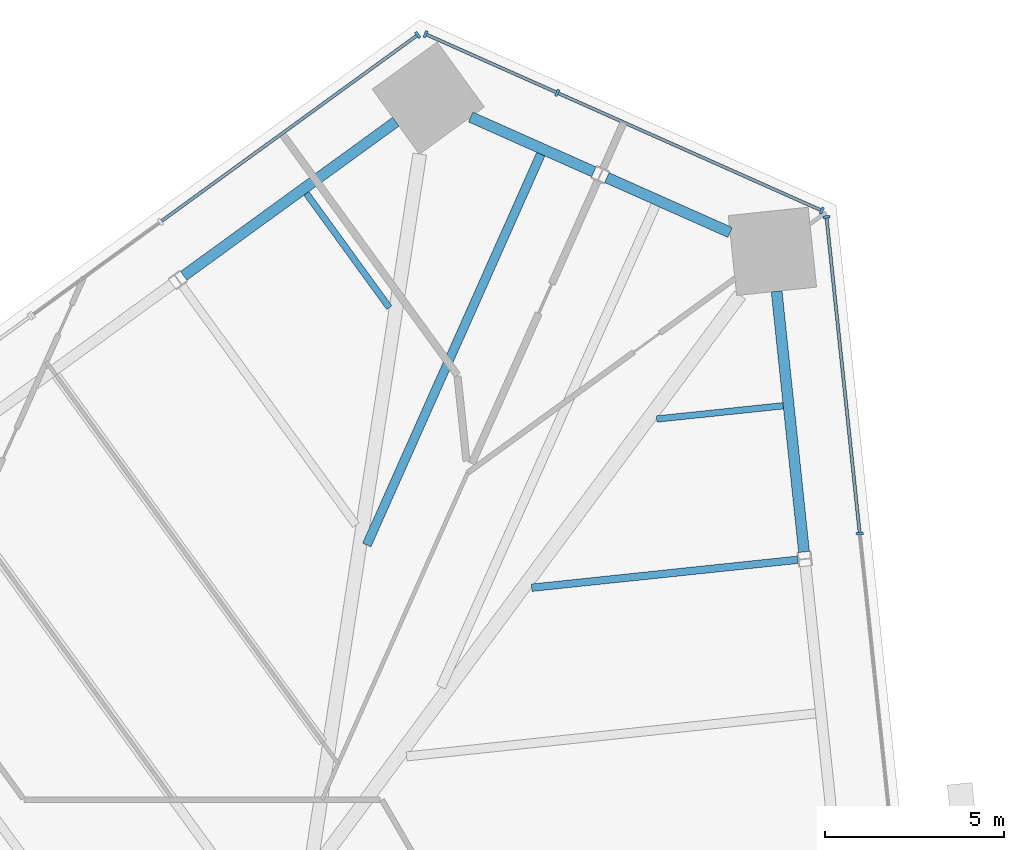
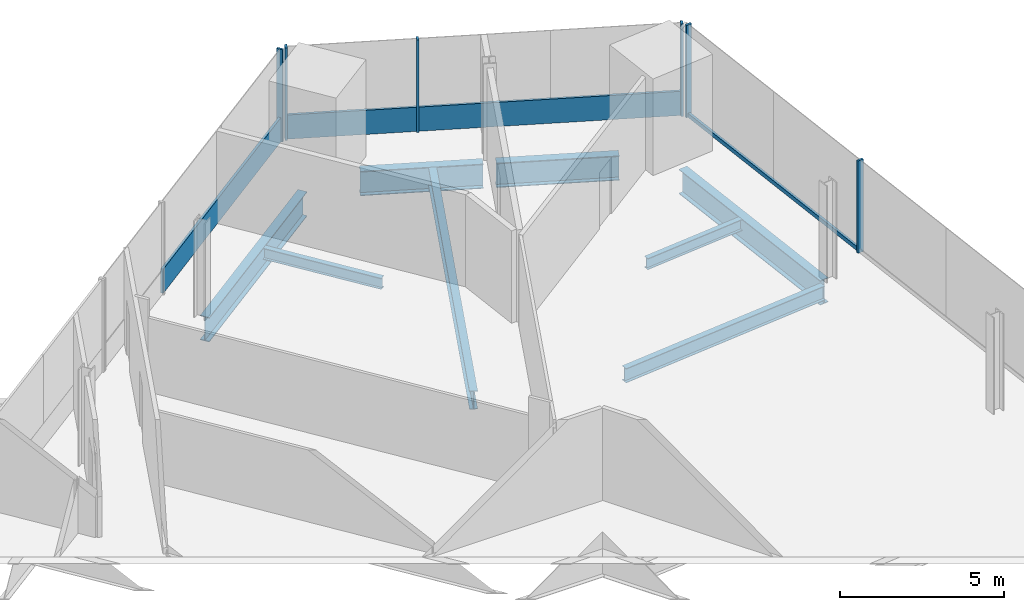
# One storey, part 9 of 19: 10 members, 8 beams, 3 elements without a shape of their own.
"""IFC4 building model written with IfcOpenShell, lengths in metres."""

import ifcopenshell
import ifcopenshell.guid

model = None  # the IFC model being written
_history = None  # IfcOwnerHistory: only IFC2X3 demands one
_inside = {}  # id of a spatial element -> (the spatial element, [elements in it])
_under = {}  # id of a project, library or spatial element -> (it, [spatial elements below it])
_declared = {}  # id of a project -> (the project, [libraries it declares])
_typed = {}  # id of a type object -> (the type object, [elements of that type])
_made_of = {}  # id of a material, layer set ... -> (it, [elements and type objects made of it])


def new_model(schema):
    """Start an empty IFC model of exactly this schema.

    Asked for "IFC4X3", IfcOpenShell would pick the latest addendum, in which some entities
    have other attributes; the version numbers below select the first issue.
    IFC2X3 requires an IfcOwnerHistory on every rooted entity: one is made here for all.
    """
    global model, _history
    if schema == "IFC4X3":
        model = ifcopenshell.file(schema_version=(4, 3, 0, 0))
    else:
        model = ifcopenshell.file(schema=schema)
    _inside.clear()
    _under.clear()
    _declared.clear()
    _typed.clear()
    _made_of.clear()
    _history = None
    if model.schema == "IFC2X3":
        org = make("IfcOrganization", Name="unknown")
        user = make(
            "IfcPersonAndOrganization",
            ThePerson=make("IfcPerson", FamilyName="unknown"),
            TheOrganization=org,
        )
        app = make(
            "IfcApplication",
            ApplicationDeveloper=org,
            Version="unknown",
            ApplicationFullName="unknown",
            ApplicationIdentifier="unknown",
        )
        _history = make(
            "IfcOwnerHistory",
            OwningUser=user,
            OwningApplication=app,
            ChangeAction="ADDED",
            CreationDate=0,
        )
    return model


def make(cls, **values):
    """One entity of the class cls with the attributes given. An attribute that is None is left unset."""
    return model.create_entity(
        cls, **{name: value for name, value in values.items() if value is not None}
    )


def rooted(cls, **values):
    """An entity with a GlobalId (a new one), such as an element, a storey or a relation."""
    return make(cls, GlobalId=ifcopenshell.guid.new(), OwnerHistory=_history, **values)


def si_unit(unit_type, name, prefix=None):
    """IfcSIUnit, for example si_unit("LENGTHUNIT", "METRE", prefix="MILLI")."""
    return make("IfcSIUnit", UnitType=unit_type, Prefix=prefix, Name=name)


def assignment(units):
    """IfcUnitAssignment: the units of a project."""
    return None if units is None else make("IfcUnitAssignment", Units=units)


def point(xyz):
    """IfcCartesianPoint."""
    return None if xyz is None else make("IfcCartesianPoint", Coordinates=xyz)


def direction(xyz):
    """IfcDirection."""
    return None if xyz is None else make("IfcDirection", DirectionRatios=xyz)


def frame(location, z_axis=None, x_axis=None):
    """IfcAxis2Placement3D, a coordinate frame: its origin and axes. An axis left out is left unset."""
    return make(
        "IfcAxis2Placement3D",
        Location=point(location),
        Axis=direction(z_axis),
        RefDirection=direction(x_axis),
    )


def frame_2d(location, x_axis=None):
    """IfcAxis2Placement2D, a coordinate frame in the plane: its origin and x axis."""
    return make(
        "IfcAxis2Placement2D", Location=point(location), RefDirection=direction(x_axis)
    )


def origin():
    """The frame at (0, 0, 0) with its axes left unset."""
    return frame((0.0, 0.0, 0.0))


def origin_2d():
    """The frame at (0, 0) in the plane with its x axis left unset."""
    return frame_2d((0.0, 0.0))


def place(relative_to, where):
    """IfcLocalPlacement: puts the frame where relative to a parent placement (None: the world)."""
    return make(
        "IfcLocalPlacement", PlacementRelTo=relative_to, RelativePlacement=where
    )


def context(
    kind, dimensions, precision=None, world=None, true_north=None, identifier=None
):
    """IfcGeometricRepresentationContext, for example the 3D "Model" context."""
    return make(
        "IfcGeometricRepresentationContext",
        ContextIdentifier=identifier,
        ContextType=kind,
        CoordinateSpaceDimension=dimensions,
        Precision=precision,
        WorldCoordinateSystem=world,
        TrueNorth=true_north,
    )


def subcontext(parent, identifier, kind, view, scale=None):
    """IfcGeometricRepresentationSubContext, for example "Body" below "Model"."""
    return make(
        "IfcGeometricRepresentationSubContext",
        ContextIdentifier=identifier,
        ContextType=kind,
        ParentContext=parent,
        TargetScale=scale,
        TargetView=view,
    )


def project(units=None, contexts=None):
    """IfcProject with its units and contexts."""
    return rooted(
        "IfcProject",
        Name="project",
        RepresentationContexts=contexts,
        UnitsInContext=assignment(units),
    )


def spatial(cls, under=None, at=None, **own):
    """A site, building, storey or space (cls), placed at a placement, below another one or the project."""
    s = rooted(cls, ObjectPlacement=at, **own)
    if under is not None:
        _under.setdefault(under.id(), (under, []))[1].append(s)
    return s


def profile(cls, at=None, kind="AREA", **sizes):
    """A parametric profile (cls). Its sizes go by their IFC names, for example OverallWidth=200.0."""
    return make(cls, ProfileType=kind, Position=at, **sizes)


def rectangle(**sizes):
    """IfcRectangleProfileDef."""
    return profile("IfcRectangleProfileDef", **sizes)


def i_section(**sizes):
    """IfcIShapeProfileDef."""
    return profile("IfcIShapeProfileDef", **sizes)


def extrude(swept, where, along, depth):
    """IfcExtrudedAreaSolid: the profile swept, set in the frame where, extruded along a direction by depth."""
    return make(
        "IfcExtrudedAreaSolid",
        SweptArea=swept,
        Position=where,
        ExtrudedDirection=direction(along),
        Depth=depth,
    )


def shape(context_of_items, identifier, shape_type, items):
    """IfcShapeRepresentation: the items that make up one representation, for example the "Body"."""
    return make(
        "IfcShapeRepresentation",
        ContextOfItems=context_of_items,
        RepresentationIdentifier=identifier,
        RepresentationType=shape_type,
        Items=items,
    )


def source(mapping_origin, context_of_items, identifier, shape_type, items):
    """IfcRepresentationMap: a shape defined once, which mapped items show again and again."""
    return make(
        "IfcRepresentationMap",
        MappingOrigin=mapping_origin,
        MappedRepresentation=shape(context_of_items, identifier, shape_type, items),
    )


def transform(
    local_origin,
    x_axis=None,
    y_axis=None,
    z_axis=None,
    scale=None,
    scale2=None,
    scale3=None,
    uniform=True,
):
    """IfcCartesianTransformationOperator3D, or its non-uniform kind. x_axis, y_axis, z_axis: its Axis1, 2, 3."""
    if uniform:
        return make(
            "IfcCartesianTransformationOperator3D",
            Axis1=direction(x_axis),
            Axis2=direction(y_axis),
            LocalOrigin=point(local_origin),
            Scale=scale,
            Axis3=direction(z_axis),
        )
    return make(
        "IfcCartesianTransformationOperator3DnonUniform",
        Axis1=direction(x_axis),
        Axis2=direction(y_axis),
        LocalOrigin=point(local_origin),
        Scale=scale,
        Axis3=direction(z_axis),
        Scale2=scale2,
        Scale3=scale3,
    )


def mapped(mapping_source, mapping_target):
    """IfcMappedItem: shows the shape of a source again, moved by a transform."""
    return make(
        "IfcMappedItem", MappingSource=mapping_source, MappingTarget=mapping_target
    )


def material(Name=None, Category=None):
    """IfcMaterial."""
    return make("IfcMaterial", Name=Name, Category=Category)


def material_profile(
    of_material, cross_section, Name=None, Category=None, Priority=None
):
    """IfcMaterialProfile: a cross section and its material."""
    return make(
        "IfcMaterialProfile",
        Name=Name,
        Material=of_material,
        Profile=cross_section,
        Priority=Priority,
        Category=Category,
    )


def profile_set(profiles, Name=None, composite=None):
    """IfcMaterialProfileSet."""
    return make(
        "IfcMaterialProfileSet",
        Name=Name,
        MaterialProfiles=profiles,
        CompositeProfile=composite,
    )


def made_of(thing, what):
    """Note that an element or type object is made of a material, layer set ...; save() writes the relation."""
    if what is not None:
        _made_of.setdefault(what.id(), (what, []))[1].append(thing)
    return thing


def type_object(cls, material=None, **own):
    """A type object (cls), such as IfcWallType, which elements share."""
    return made_of(rooted(cls, **own), material)


def element(
    cls,
    number,
    at=None,
    inside=None,
    cuts=None,
    type_object=None,
    material=None,
    context=None,
    identifier="Body",
    shape_type=None,
    held_by="IfcProductDefinitionShape",
    body=None,
    shapes=None,
    **own,
):
    """One element of the class cls, such as IfcWall. Its Tag is "e" and its number.

    at: its placement. inside: the storey or other place that contains it. cuts: it is an
    opening in that element (IfcRelVoidsElement). A single representation is given by context,
    identifier, shape_type and body (its items); several are given by shapes. held_by: the class
    of the entity that holds the representations. save() writes the other relations.
    """
    e = rooted(cls, Tag="e%d" % number, ObjectPlacement=at, **own)
    if body is not None:
        shapes = [shape(context, identifier, shape_type, body)]
    if shapes is not None:
        e.Representation = make(held_by, Representations=shapes)
    if inside is not None:
        _inside.setdefault(inside.id(), (inside, []))[1].append(e)
    if cuts is not None:
        rooted(
            "IfcRelVoidsElement", RelatingBuildingElement=cuts, RelatedOpeningElement=e
        )
    if type_object is not None:
        _typed.setdefault(type_object.id(), (type_object, []))[1].append(e)
    return made_of(e, material)


def aggregate(whole, parts):
    """IfcRelAggregates: a whole, such as a stair, and the parts it consists of."""
    return rooted("IfcRelAggregates", RelatingObject=whole, RelatedObjects=parts)


def save(model, path):
    """Write the relations noted so far, then the file.

    IfcRelAggregates (storeys below a building ...), IfcRelContainedInSpatialStructure (elements
    in a storey), IfcRelDefinesByType, IfcRelAssociatesMaterial and IfcRelDeclares: one each for
    every whole, place, type object, material and project.
    """
    for whole, parts in _under.values():
        aggregate(whole, parts)
    for where, things in _inside.values():
        rooted(
            "IfcRelContainedInSpatialStructure",
            RelatedElements=things,
            RelatingStructure=where,
        )
    for kind, things in _typed.values():
        rooted("IfcRelDefinesByType", RelatedObjects=things, RelatingType=kind)
    for what, things in _made_of.values():
        rooted("IfcRelAssociatesMaterial", RelatedObjects=things, RelatingMaterial=what)
    for by, libraries in _declared.values():
        rooted("IfcRelDeclares", RelatingContext=by, RelatedDefinitions=libraries)
    model.write(path)


model = new_model("IFC4")

# Units and contexts
model_context = context("Model", 3, precision=1e-05, world=origin(), true_north=direction((0.0, 1.0)))
body_context = subcontext(model_context, "Body", "Model", "MODEL_VIEW")
ifc_project = project(units=[si_unit("LENGTHUNIT", "METRE"), si_unit("AREAUNIT", "SQUARE_METRE"), si_unit("VOLUMEUNIT", "CUBIC_METRE"), si_unit("PLANEANGLEUNIT", "RADIAN"), si_unit("MASSUNIT", "GRAM", prefix="KILO")], contexts=[model_context])

# Site, building, storey
site_placement = place(None, origin())
site = spatial("IfcSite", under=ifc_project, at=site_placement, CompositionType="ELEMENT")
building_placement = place(site_placement, origin())
building = spatial("IfcBuilding", under=site, at=building_placement, Name="Triune Harvest Tower", CompositionType="ELEMENT")
storey_placement = place(building_placement, frame((0.0, 0.0, 69.300048828125)))
storey = spatial("IfcBuildingStorey", under=building, at=storey_placement, Name="L16", CompositionType="ELEMENT", Elevation=69.300048828125)

# Beams
ifc_material_1 = material(Name="Steel ASTM A992 Gr 50", Category="steel")
ifc_material_profile_1 = material_profile(ifc_material_1, i_section(OverallWidth=0.3046875, OverallDepth=0.914306640625, WebThickness=0.0166015625, FlangeThickness=0.02587890625, at=origin_2d()), Name="W36x160")
ifc_profile_set_1 = profile_set([ifc_material_profile_1], Name="Steel ASTM A992 Gr 50")
beam_type_1 = type_object("IfcBeamType", Name="SB-1 Spandrel beam W36x160", PredefinedType="SPANDREL", material=ifc_profile_set_1)
shared_shape_1 = source(origin(), body_context, "Body", "SweptSolid", [
    extrude(i_section(OverallWidth=0.3046875, OverallDepth=0.914306640625, WebThickness=0.0166015625, FlangeThickness=0.02587890625, at=origin_2d()), origin(), (0.0, 0.0, 1.0), 7.337890625),
])
beam_1_placement = place(storey_placement, frame((7.7158203125, 31.677490234375, -0.6171875), z_axis=(-0.80902661548, -0.58777200975, 0.0), x_axis=(0.58777200975, -0.80902661548, 0.0)))
element("IfcBeam", 1, at=beam_1_placement, inside=storey, type_object=beam_type_1, Name="beam/L16/SB9", PredefinedType="SPANDREL", context=body_context, shape_type="MappedRepresentation", body=[
    mapped(shared_shape_1, transform((0.0, 0.0, 0.0), scale=1.0)),
])
shared_shape_2 = source(origin(), body_context, "Body", "SweptSolid", [
    extrude(i_section(OverallWidth=0.3046875, OverallDepth=0.914306640625, WebThickness=0.0166015625, FlangeThickness=0.02587890625, at=origin_2d()), origin(), (0.0, 0.0, 1.0), 7.338134765625),
])
beam_2_placement = place(storey_placement, frame((19.145263671875, 19.632568359375, -0.6171875), z_axis=(-0.104502933908, 0.994524578281, 0.0), x_axis=(-0.994524578281, -0.104502933908, 0.0)))
element("IfcBeam", 2, at=beam_2_placement, inside=storey, type_object=beam_type_1, Name="beam/L16/SB6", PredefinedType="SPANDREL", context=body_context, shape_type="MappedRepresentation", body=[
    mapped(shared_shape_2, transform((0.0, 0.0, 0.0), scale=1.0)),
])
shared_shape_3 = source(origin(), body_context, "Body", "SweptSolid", [
    extrude(i_section(OverallWidth=0.3046875, OverallDepth=0.914306640625, WebThickness=0.0166015625, FlangeThickness=0.02587890625, at=origin_2d()), origin(), (0.0, 0.0, 1.0), 3.77490234375),
])
beam_3_placement = place(storey_placement, frame((17.073974609375, 28.577392578125, -0.6171875), z_axis=(-0.913541977346, 0.40674445986, 0.0), x_axis=(-0.40674445986, -0.913541977346, 0.0)))
element("IfcBeam", 3, at=beam_3_placement, inside=storey, type_object=beam_type_1, Name="beam/L16/SB7", PredefinedType="SPANDREL", context=body_context, shape_type="MappedRepresentation", body=[
    mapped(shared_shape_3, transform((0.0, 0.0, 0.0), scale=1.0)),
])
shared_shape_4 = source(origin(), body_context, "Body", "SweptSolid", [
    extrude(i_section(OverallWidth=0.3046875, OverallDepth=0.914306640625, WebThickness=0.0166015625, FlangeThickness=0.02587890625, at=origin_2d()), origin(), (0.0, 0.0, 1.0), 3.774658203125),
])
beam_4_placement = place(storey_placement, frame((13.260986328125, 30.275146484375, -0.6171875), z_axis=(-0.913566008399, 0.406690482182, 0.0), x_axis=(-0.406690482182, -0.913566008399, 0.0)))
element("IfcBeam", 4, at=beam_4_placement, inside=storey, type_object=beam_type_1, Name="beam/L16/SB8", PredefinedType="SPANDREL", context=body_context, shape_type="MappedRepresentation", body=[
    mapped(shared_shape_4, transform((0.0, 0.0, 0.0), scale=1.0)),
])
ifc_material_2 = material(Name="Steel ASTM A992 Gr 50", Category="steel")
ifc_material_profile_2 = material_profile(ifc_material_2, i_section(OverallWidth=0.180908203125, OverallDepth=0.41650390625, WebThickness=0.010986328125, FlangeThickness=0.01806640625, at=origin_2d()), Name="W16x57")
ifc_profile_set_2 = profile_set([ifc_material_profile_2], Name="Steel ASTM A992 Gr 50")
beam_type_2 = type_object("IfcBeamType", Name="JT-1 Floor joist W16x57", PredefinedType="JOIST", material=ifc_profile_set_2)
shared_shape_5 = source(origin(), body_context, "Body", "SweptSolid", [
    extrude(i_section(OverallWidth=0.180908203125, OverallDepth=0.41650390625, WebThickness=0.010986328125, FlangeThickness=0.01806640625, at=origin_2d()), origin(), (0.0, 0.0, 1.0), 3.95068359375),
])
beam_5_placement = place(storey_placement, frame((5.21142578125, 29.669677734375, -0.368408203125), z_axis=(0.587818894271, -0.808992550978, 0.0), x_axis=(0.808992550978, 0.587818894271, 0.0)))
element("IfcBeam", 5, at=beam_5_placement, inside=storey, type_object=beam_type_2, Name="beam/L16/JT14", PredefinedType="JOIST", context=body_context, shape_type="MappedRepresentation", body=[
    mapped(shared_shape_5, transform((0.0, 0.0, 0.0), scale=1.0)),
])
ifc_material_3 = material(Name="Steel ASTM A992 Gr 50", Category="steel")
ifc_material_profile_3 = material_profile(ifc_material_3, i_section(OverallWidth=0.2099609375, OverallDepth=0.535888671875, WebThickness=0.010986328125, FlangeThickness=0.017333984375, at=origin_2d()), Name="W21x68")
ifc_profile_set_3 = profile_set([ifc_material_profile_3], Name="Steel ASTM A992 Gr 50")
beam_type_3 = type_object("IfcBeamType", Name="JT-2 Floor joist W21x68", PredefinedType="JOIST", material=ifc_profile_set_3)
shared_shape_6 = source(origin(), body_context, "Body", "SweptSolid", [
    extrude(i_section(OverallWidth=0.2099609375, OverallDepth=0.535888671875, WebThickness=0.010986328125, FlangeThickness=0.017333984375, at=origin_2d()), origin(), (0.0, 0.0, 1.0), 7.491943359375),
])
beam_6_placement = place(storey_placement, frame((18.97021484375, 19.413818359375, -0.427978515625), z_axis=(-0.994520798259, -0.104538901039, 0.0), x_axis=(0.104538901039, -0.994520798259, 0.0)))
element("IfcBeam", 6, at=beam_6_placement, inside=storey, type_object=beam_type_3, Name="beam/L16/JT10", PredefinedType="JOIST", context=body_context, shape_type="MappedRepresentation", body=[
    mapped(shared_shape_6, transform((0.0, 0.0, 0.0), scale=1.0)),
])
shared_shape_7 = source(origin(), body_context, "Body", "SweptSolid", [
    extrude(i_section(OverallWidth=0.180908203125, OverallDepth=0.41650390625, WebThickness=0.010986328125, FlangeThickness=0.01806640625, at=origin_2d()), origin(), (0.0, 0.0, 1.0), 3.562255859375),
])
beam_7_placement = place(storey_placement, frame((18.56201171875, 23.725830078125, -0.368408203125), z_axis=(-0.994523089103, -0.104517105016, 0.0), x_axis=(0.104517105016, -0.994523089103, 0.0)))
element("IfcBeam", 7, at=beam_7_placement, inside=storey, type_object=beam_type_2, Name="beam/L16/JT11", PredefinedType="JOIST", context=body_context, shape_type="MappedRepresentation", body=[
    mapped(shared_shape_7, transform((0.0, 0.0, 0.0), scale=1.0)),
])
ifc_material_4 = material(Name="Steel ASTM A992 Gr 50", Category="steel")
ifc_material_profile_4 = material_profile(ifc_material_4, i_section(OverallWidth=0.253662109375, OverallDepth=0.683349609375, WebThickness=0.012451171875, FlangeThickness=0.01904296875, at=origin_2d()), Name="W27x94")
ifc_profile_set_4 = profile_set([ifc_material_profile_4], Name="Steel ASTM A992 Gr 50")
beam_type_4 = type_object("IfcBeamType", Name="JT-4 Floor joist W27x94", PredefinedType="JOIST", material=ifc_profile_set_4)
shared_shape_8 = source(origin(), body_context, "Body", "SweptSolid", [
    extrude(i_section(OverallWidth=0.253662109375, OverallDepth=0.683349609375, WebThickness=0.012451171875, FlangeThickness=0.01904296875, at=origin_2d()), origin(), (0.0, 0.0, 1.0), 11.977783203125),
])
beam_8_placement = place(storey_placement, frame((11.775390625, 30.769775390625, -0.501708984375), z_axis=(-0.406717086171, -0.913554164687, 0.0), x_axis=(0.913554164687, -0.406717086171, 0.0)))
element("IfcBeam", 8, at=beam_8_placement, inside=storey, type_object=beam_type_4, Name="beam/L16/JT13", PredefinedType="JOIST", context=body_context, shape_type="MappedRepresentation", body=[
    mapped(shared_shape_8, transform((0.0, 0.0, 0.0), scale=1.0)),
])

# Curtain wall, members
ifc_material_5 = material(Name="Aluminium bronze anodised", Category="aluminium")
curtain_wall_type_1 = type_object("IfcCurtainWallType", Name="CW-1 Tower stick curtain wall", PredefinedType="NOTDEFINED", material=ifc_material_5)
curtain_wall_1_placement = place(storey_placement, origin())
curtain_wall_1 = element("IfcCurtainWall", 9, at=curtain_wall_1_placement, inside=storey, type_object=curtain_wall_type_1, Name="CW-1 B2-F2 L16 run 1")
ifc_material_6 = material(Name="Aluminium bronze anodised", Category="aluminium")
ifc_material_profile_5 = material_profile(ifc_material_6, rectangle(XDim=0.199951171875, YDim=0.074951171875, at=origin_2d()), Name="MU-1 mullion 75 x 200")
ifc_profile_set_5 = profile_set([ifc_material_profile_5], Name="Aluminium bronze anodised")
member_type_1 = type_object("IfcMemberType", Name="MU-1 mullion 75 x 200", PredefinedType="MULLION", material=ifc_profile_set_5)
shared_shape_9 = source(origin(), body_context, "Body", "SweptSolid", [
    extrude(rectangle(XDim=0.199951171875, YDim=0.074951171875, at=origin_2d()), origin(), (0.0, 0.0, 1.0), 3.43994140625),
])
member_1_placement = place(storey_placement, frame((19.643798828125, 29.1904296875, 0.0), z_axis=(0.0, 0.0, 1.0), x_axis=(-0.406733978386, -0.913546644034, 0.0)))
member_1 = element("IfcMember", 10, at=member_1_placement, type_object=member_type_1, Name="CW-1 mullion B2-F2 1.1", PredefinedType="MULLION", context=body_context, shape_type="MappedRepresentation", body=[
    mapped(shared_shape_9, transform((0.0, 0.0, 0.0), scale=1.0)),
])
member_2_placement = place(storey_placement, frame((12.2353515625, 32.48876953125, 0.0), z_axis=(0.0, 0.0, 1.0), x_axis=(-0.406733978386, -0.913546644034, 0.0)))
member_2 = element("IfcMember", 11, at=member_2_placement, type_object=member_type_1, Name="CW-1 mullion B2-F2 1.3", PredefinedType="MULLION", context=body_context, shape_type="MappedRepresentation", body=[
    mapped(shared_shape_9, transform((0.0, 0.0, 0.0), scale=1.0)),
])
member_3_placement = place(storey_placement, frame((8.548583984375, 34.13037109375, 0.0), z_axis=(0.0, 0.0, 1.0), x_axis=(-0.406733978386, -0.913546644034, 0.0)))
member_3 = element("IfcMember", 12, at=member_3_placement, type_object=member_type_1, Name="CW-1 mullion B2-F2 1.4", PredefinedType="MULLION", context=body_context, shape_type="MappedRepresentation", body=[
    mapped(shared_shape_9, transform((0.0, 0.0, 0.0), scale=1.0)),
])

# Curtain wall, member
curtain_wall_2_placement = place(storey_placement, origin())
curtain_wall_2 = element("IfcCurtainWall", 13, at=curtain_wall_2_placement, inside=storey, type_object=curtain_wall_type_1, Name="CW-1 B2-F3 L16 run 1")
member_4_placement = place(storey_placement, frame((8.328857421875, 34.107177734375, 0.0), z_axis=(0.0, 0.0, 1.0), x_axis=(0.587785414122, -0.809016876799, 0.0)))
member_4 = element("IfcMember", 14, at=member_4_placement, type_object=member_type_1, Name="CW-1 mullion B2-F3 1.1", PredefinedType="MULLION", context=body_context, shape_type="MappedRepresentation", body=[
    mapped(shared_shape_9, transform((0.0, 0.0, 0.0), scale=1.0)),
])

# Member
ifc_material_7 = material(Name="Aluminium bronze anodised", Category="aluminium")
ifc_material_profile_6 = material_profile(ifc_material_7, rectangle(XDim=0.090087890625, YDim=0.89990234375, at=origin_2d()), Name="TR-1 transom 90 x 900")
ifc_profile_set_6 = profile_set([ifc_material_profile_6], Name="Aluminium bronze anodised")
member_type_2 = type_object("IfcMemberType", Name="TR-1 transom 90 x 900", PredefinedType="USERDEFINED", material=ifc_profile_set_6)
shared_shape_10 = source(origin(), body_context, "Body", "SweptSolid", [
    extrude(rectangle(XDim=0.090087890625, YDim=0.89990234375, at=origin_2d()), origin(), (0.0, 0.0, 1.0), 8.0341796875),
])
member_5_placement = place(storey_placement, frame((19.609375, 29.205810546875, 0.449951171875), z_axis=(-0.913544441051, 0.40673892637, 0.0), x_axis=(-0.40673892637, -0.913544441051, 0.0)))
member_5 = element("IfcMember", 15, at=member_5_placement, type_object=member_type_2, Name="CW-1 transom B2-F2 1.1", ObjectType="TRANSOM", PredefinedType="USERDEFINED", context=body_context, shape_type="MappedRepresentation", body=[
    mapped(shared_shape_10, transform((0.0, 0.0, 0.0), scale=1.0)),
])

shared_shape_11 = source(origin(), body_context, "Body", "SweptSolid", [
    extrude(rectangle(XDim=0.090087890625, YDim=0.89990234375, at=origin_2d()), origin(), (0.0, 0.0, 1.0), 3.960693359375),
])
member_6_placement = place(storey_placement, frame((12.201171875, 32.504150390625, 0.449951171875), z_axis=(-0.913562276019, 0.406698866282, 0.0), x_axis=(-0.406698866282, -0.913562276019, 0.0)))
member_6 = element("IfcMember", 16, at=member_6_placement, type_object=member_type_2, Name="CW-1 transom B2-F2 1.2", ObjectType="TRANSOM", PredefinedType="USERDEFINED", context=body_context, shape_type="MappedRepresentation", body=[
    mapped(shared_shape_11, transform((0.0, 0.0, 0.0), scale=1.0)),
])

aggregate(curtain_wall_1, [member_1, member_2, member_3, member_5, member_6])

# Curtain wall, members
ifc_material_8 = material(Name="Aluminium bronze anodised", Category="aluminium")
curtain_wall_type_2 = type_object("IfcCurtainWallType", Name="CW-6 Balcony window wall", PredefinedType="NOTDEFINED", material=ifc_material_8)
curtain_wall_3_placement = place(storey_placement, origin())
curtain_wall_3 = element("IfcCurtainWall", 17, at=curtain_wall_3_placement, inside=storey, type_object=curtain_wall_type_2, Name="CW-6 B2-F1 L16 run 1002")
ifc_material_9 = material(Name="Aluminium bronze anodised", Category="aluminium")
ifc_material_profile_7 = material_profile(ifc_material_9, rectangle(XDim=0.199951171875, YDim=0.074951171875, at=origin_2d()), Name="MU-6 mullion 75 x 200")
ifc_profile_set_7 = profile_set([ifc_material_profile_7], Name="Aluminium bronze anodised")
member_type_3 = type_object("IfcMemberType", Name="MU-6 mullion 75 x 200", PredefinedType="MULLION", material=ifc_profile_set_7)
shared_shape_12 = source(origin(), body_context, "Body", "SweptSolid", [
    extrude(rectangle(XDim=0.199951171875, YDim=0.074951171875, at=origin_2d()), origin(), (0.0, 0.0, 1.0), 3.43994140625),
])
member_7_placement = place(storey_placement, frame((20.705322265625, 20.14697265625, 0.0), z_axis=(0.0, 0.0, 1.0), x_axis=(-0.994521977132, -0.104527685331, 0.0)))
member_7 = element("IfcMember", 18, at=member_7_placement, type_object=member_type_3, Name="CW-6 mullion B2-F1 1002.3", PredefinedType="MULLION", context=body_context, shape_type="MappedRepresentation", body=[
    mapped(shared_shape_12, transform((0.0, 0.0, 0.0), scale=1.0)),
])
member_8_placement = place(storey_placement, frame((19.7734375, 29.01171875, 0.0), z_axis=(0.0, 0.0, 1.0), x_axis=(-0.994521977132, -0.104527685331, 0.0)))
member_8 = element("IfcMember", 19, at=member_8_placement, type_object=member_type_3, Name="CW-6 mullion B2-F1 1002.5", PredefinedType="MULLION", context=body_context, shape_type="MappedRepresentation", body=[
    mapped(shared_shape_12, transform((0.0, 0.0, 0.0), scale=1.0)),
])

# Member
shared_shape_13 = source(origin(), body_context, "Body", "SweptSolid", [
    extrude(rectangle(XDim=0.090087890625, YDim=0.89990234375, at=origin_2d()), origin(), (0.0, 0.0, 1.0), 8.82861328125),
])
member_9_placement = place(storey_placement, frame((8.298583984375, 34.085205078125, 0.449951171875), z_axis=(-0.809026570054, -0.587772072276, 0.0), x_axis=(0.587772072276, -0.809026570054, 0.0)))
member_9 = element("IfcMember", 20, at=member_9_placement, type_object=member_type_2, Name="CW-1 transom B2-F3 1.1", ObjectType="TRANSOM", PredefinedType="USERDEFINED", context=body_context, shape_type="MappedRepresentation", body=[
    mapped(shared_shape_13, transform((0.0, 0.0, 0.0), scale=1.0)),
])

aggregate(curtain_wall_2, [member_4, member_9])

ifc_material_10 = material(Name="Aluminium bronze anodised", Category="aluminium")
ifc_material_profile_8 = material_profile(ifc_material_10, rectangle(XDim=0.090087890625, YDim=0.14990234375, at=origin_2d()), Name="TR-6 transom 90 x 150")
ifc_profile_set_8 = profile_set([ifc_material_profile_8], Name="Aluminium bronze anodised")
member_type_4 = type_object("IfcMemberType", Name="TR-6 transom 90 x 150", PredefinedType="USERDEFINED", material=ifc_profile_set_8)
shared_shape_14 = source(origin(), body_context, "Body", "SweptSolid", [
    extrude(rectangle(XDim=0.090087890625, YDim=0.14990234375, at=origin_2d()), origin(), (0.0, 0.0, 1.0), 8.838623046875),
])
member_10_placement = place(storey_placement, frame((20.701416015625, 20.184326171875, 0.074951171875), z_axis=(-0.104548188478, 0.994519821967, 0.0), x_axis=(-0.994519821967, -0.104548188478, 0.0)))
member_10 = element("IfcMember", 21, at=member_10_placement, type_object=member_type_4, Name="CW-6 transom B2-F1 1002.2", ObjectType="TRANSOM", PredefinedType="USERDEFINED", context=body_context, shape_type="MappedRepresentation", body=[
    mapped(shared_shape_14, transform((0.0, 0.0, 0.0), scale=1.0)),
])

aggregate(curtain_wall_3, [member_7, member_8, member_10])

save(model, "model.ifc")
